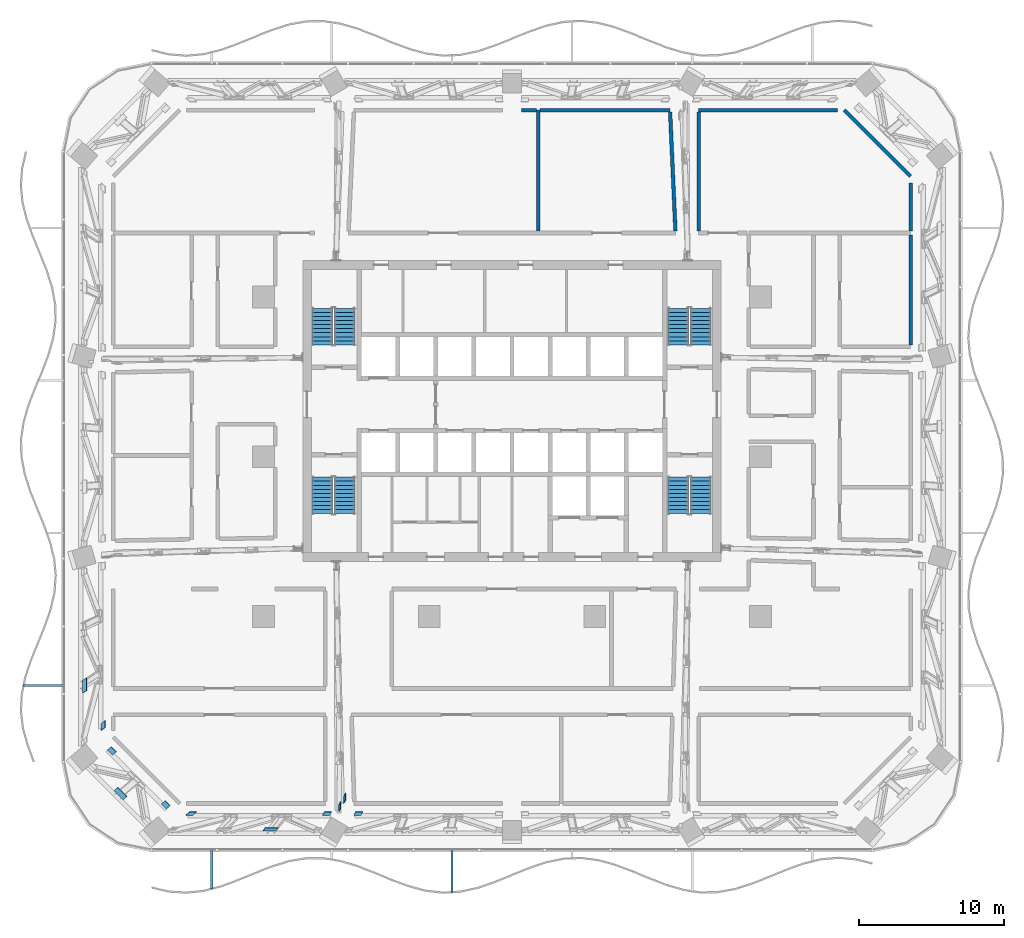
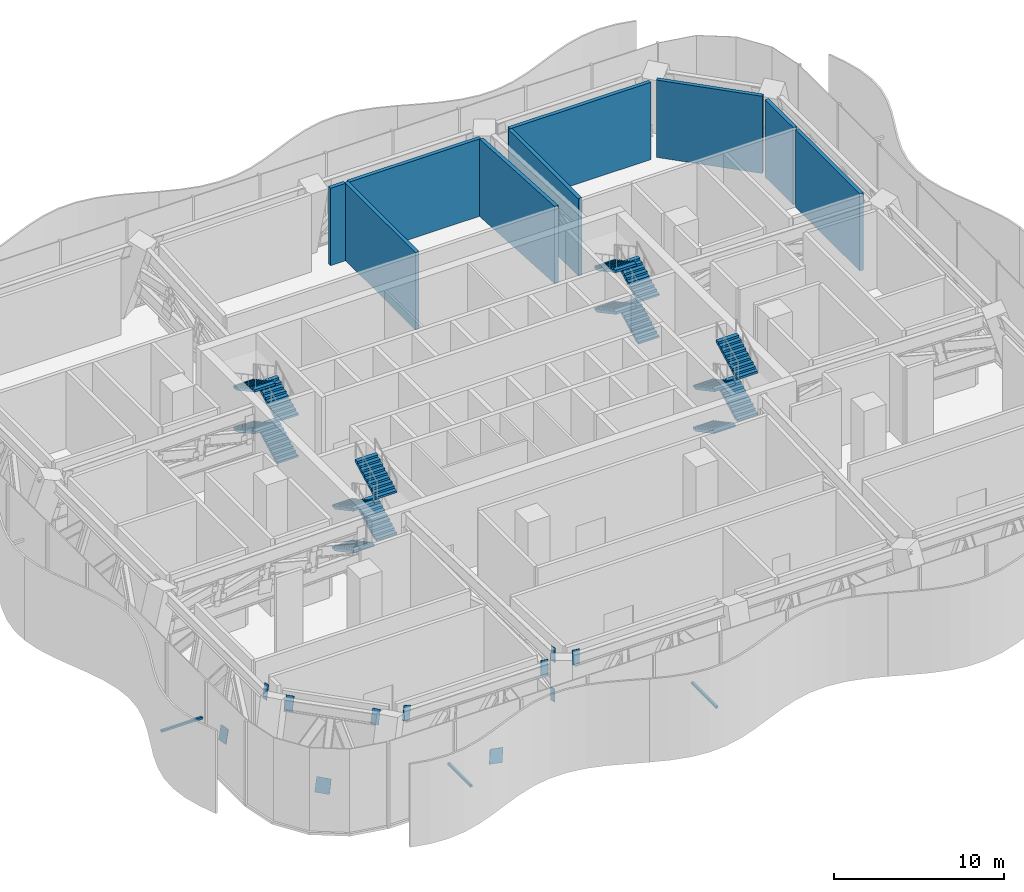
# One storey, part 14 of 32: 16 stair flights, 14 discrete accessories, 9 walls, 4 elements without a shape of their own.
"""IFC4 building model written with IfcOpenShell, lengths in metres."""

from ifc_helpers import new_model, si_unit, direction, frame, frame_2d, origin, origin_2d, place, context, subcontext, project, spatial, polyline, rectangle, outline, extrude, material, layer, layer_set, type_object, element, aggregate, save


model = new_model("IFC4")

# Units and contexts
model_context = context("Model", 3, precision=1e-05, world=origin(), true_north=direction((0.0, 1.0)))
body_context = subcontext(model_context, "Body", "Model", "MODEL_VIEW")
ifc_project = project(units=[si_unit("LENGTHUNIT", "METRE"), si_unit("AREAUNIT", "SQUARE_METRE"), si_unit("VOLUMEUNIT", "CUBIC_METRE"), si_unit("PLANEANGLEUNIT", "RADIAN"), si_unit("MASSUNIT", "GRAM", prefix="KILO")], contexts=[model_context])

# Site, building, storey
site_placement = place(None, origin())
site = spatial("IfcSite", under=ifc_project, at=site_placement, CompositionType="ELEMENT")
building_placement = place(site_placement, origin())
building = spatial("IfcBuilding", under=site, at=building_placement, Name="Mopane Tessera Tower", CompositionType="ELEMENT")
storey_placement = place(building_placement, frame((0.0, 0.0, 88.60009765625)))
storey = spatial("IfcBuildingStorey", under=building, at=storey_placement, Name="L17", CompositionType="ELEMENT", Elevation=88.60009765625)

# Walls
ifc_material_1 = material(Name="Plastered concrete blockwork C20/25", Category="masonry")
ifc_layer_1 = layer(ifc_material_1, 0.25)
ifc_layer_set_1 = layer_set([ifc_layer_1], Name="Plastered concrete blockwork C20/25")
wall_type = type_object("IfcWallType", Name="Plastered blockwork wall 250, rated EI 120", PredefinedType="PARTITIONING", material=ifc_layer_set_1)
wall_1_placement = place(storey_placement, frame((0.64990234375, 23.860107421875, 0.0), z_axis=(0.0, 0.0, 1.0), x_axis=(1.0, 0.0, 0.0)))
element("IfcWall", 1, at=wall_1_placement, inside=storey, type_object=wall_type, Name="Partition L17:031", PredefinedType="PARTITIONING", context=body_context, shape_type="SweptSolid", body=[
    extrude(rectangle(XDim=1.02001953125, YDim=0.25, at=frame_2d((0.510009765625, 0.0))), origin(), (0.0, 0.0, 1.0), 5.5498046875),
])
wall_2_placement = place(storey_placement, frame((1.919921875, 23.860107421875, 0.0), z_axis=(0.0, 0.0, 1.0), x_axis=(1.0, 0.0, 0.0)))
element("IfcWall", 2, at=wall_2_placement, inside=storey, type_object=wall_type, Name="Partition L17:032", PredefinedType="PARTITIONING", context=body_context, shape_type="SweptSolid", body=[
    extrude(rectangle(XDim=8.955078125, YDim=0.25, at=frame_2d((4.4775390625, 0.0))), origin(), (0.0, 0.0, 1.0), 5.5498046875),
])
wall_3_placement = place(storey_placement, frame((12.844970703125, 23.860107421875, 0.0), z_axis=(0.0, 0.0, 1.0), x_axis=(1.0, 0.0, 0.0)))
element("IfcWall", 3, at=wall_3_placement, inside=storey, type_object=wall_type, Name="Partition L17:033", PredefinedType="PARTITIONING", context=body_context, shape_type="SweptSolid", body=[
    extrude(rectangle(XDim=9.554931640625, YDim=0.25, at=frame_2d((4.77734375, 0.0))), origin(), (0.0, 0.0, 1.0), 5.5498046875),
])
wall_4_placement = place(storey_placement, frame((1.794921875, 15.52490234375, 0.0), z_axis=(0.0, 0.0, 1.0), x_axis=(0.0, 1.0, 0.0)))
element("IfcWall", 4, at=wall_4_placement, inside=storey, type_object=wall_type, Name="Partition L17:051", PredefinedType="PARTITIONING", context=body_context, shape_type="SweptSolid", body=[
    extrude(rectangle(XDim=8.335205078125, YDim=0.25, at=frame_2d((4.16748046875, 0.0))), origin(), (0.0, 0.0, 1.0), 5.5498046875),
])
wall_5_placement = place(storey_placement, frame((12.844970703125, 15.52490234375, 0.0), z_axis=(0.0, 0.0, 1.0), x_axis=(0.0, 1.0, 0.0)))
element("IfcWall", 5, at=wall_5_placement, inside=storey, type_object=wall_type, Name="Partition L17:055", PredefinedType="PARTITIONING", context=body_context, shape_type="SweptSolid", body=[
    extrude(rectangle(XDim=8.210205078125, YDim=0.25, at=frame_2d((4.10498046875, 0.0))), origin(), (0.0, 0.0, 1.0), 5.5498046875),
])
wall_6_placement = place(storey_placement, frame((27.429931640625, 7.699951171875, 0.0), z_axis=(0.0, 0.0, 1.0), x_axis=(0.0, 1.0, 0.0)))
element("IfcWall", 6, at=wall_6_placement, inside=storey, type_object=wall_type, Name="Partition L17:071", PredefinedType="PARTITIONING", context=body_context, shape_type="SweptSolid", body=[
    extrude(rectangle(XDim=7.574951171875, YDim=0.25, at=frame_2d((3.78759765625, 0.0))), origin(), (0.0, 0.0, 1.0), 5.5498046875),
])
wall_7_placement = place(storey_placement, frame((27.429931640625, 15.52490234375, 0.0), z_axis=(0.0, 0.0, 1.0), x_axis=(0.0, 1.0, 0.0)))
element("IfcWall", 7, at=wall_7_placement, inside=storey, type_object=wall_type, Name="Partition L17:072", PredefinedType="PARTITIONING", context=body_context, shape_type="SweptSolid", body=[
    extrude(rectangle(XDim=3.3251953125, YDim=0.25, at=frame_2d((1.66259765625, 0.0))), origin(), (0.0, 0.0, 1.0), 5.5498046875),
])
wall_8_placement = place(storey_placement, frame((10.881103515625, 23.72998046875, 0.0), z_axis=(0.0, 0.0, 1.0), x_axis=(0.044823454024, -0.998994923896, 0.0)))
element("IfcWall", 8, at=wall_8_placement, inside=storey, type_object=wall_type, Name="Partition L17:087", PredefinedType="PARTITIONING", context=body_context, shape_type="SweptSolid", body=[
    extrude(rectangle(XDim=8.208251953125, YDim=0.25, at=frame_2d((4.10400390625, 0.0))), origin(), (0.0, 0.0, 1.0), 5.5498046875),
])
wall_9_placement = place(storey_placement, frame((22.8701171875, 23.860107421875, 0.0), z_axis=(0.0, 0.0, 1.0), x_axis=(0.707087851559, -0.707125710308, 0.0)))
element("IfcWall", 9, at=wall_9_placement, inside=storey, type_object=wall_type, Name="Partition L17:088", PredefinedType="PARTITIONING", context=body_context, shape_type="SweptSolid", body=[
    extrude(rectangle(XDim=6.44873046875, YDim=0.25, at=frame_2d((3.224365234375, 0.0))), origin(), (0.0, 0.0, 1.0), 5.5498046875),
])

# Stair, stair flights
ifc_material_2 = material(Name="Concrete C50/60", Category="concrete")
stair_type = type_object("IfcStairType", Name="Escape stair 1400 mm, riser 150 mm", PredefinedType="HALF_TURN_STAIR", material=ifc_material_2)
stair_1_placement = place(storey_placement, origin())
stair_1 = element("IfcStair", 10, at=stair_1_placement, inside=storey, type_object=stair_type, Name="L17 Escape stair south-west", PredefinedType="HALF_TURN_STAIR")
ifc_material_3 = material(Name="Concrete C50/60", Category="concrete")
stair_flight_type = type_object("IfcStairFlightType", Name="Escape stair flight 1400 mm", PredefinedType="STRAIGHT", material=ifc_material_3)
stair_flight_1_placement = place(storey_placement, frame((-13.050048828125, -1.39990234375, 0.0), z_axis=(0.0, 0.0, 1.0), x_axis=(0.0, -1.0, 0.0)))
stair_flight_1 = element("IfcStairFlight", 11, at=stair_flight_1_placement, type_object=stair_flight_type, Name="ST1 flight 1", NumberOfRisers=10, NumberOfTreads=9, PredefinedType="STRAIGHT", RiserHeight=0.15, TreadLength=0.28, context=body_context, shape_type="SweptSolid", body=[
    extrude(outline(polyline([(0.0, 0.0), (0.0, 0.14990234375), (0.280029296875, 0.14990234375), (0.280029296875, 0.300048828125), (0.56005859375, 0.300048828125), (0.56005859375, 0.449951171875), (0.840087890625, 0.449951171875), (0.840087890625, 0.60009765625), (1.1201171875, 0.60009765625), (1.1201171875, 0.75), (1.39990234375, 0.75), (1.39990234375, 0.89990234375), (1.679931640625, 0.89990234375), (1.679931640625, 1.050048828125), (1.9599609375, 1.050048828125), (1.9599609375, 1.199951171875), (2.239990234375, 1.199951171875), (2.239990234375, 1.35009765625), (2.52001953125, 1.35009765625), (2.52001953125, 1.5), (2.52001953125, 1.179931640625), (0.3173828125, 0.0), (0.0, 0.0)])), frame((0.0, 0.699951171875, 0.0), z_axis=(0.0, -1.0, 0.0), x_axis=(1.0, 0.0, 0.0)), (0.0, 0.0, 1.0), 1.39990234375),
])
stair_flight_2_placement = place(storey_placement, frame((-11.5, -3.919921875, 1.5), z_axis=(0.0, 0.0, 1.0), x_axis=(0.0, 1.0, 0.0)))
stair_flight_2 = element("IfcStairFlight", 12, at=stair_flight_2_placement, type_object=stair_flight_type, Name="ST1 flight 2", NumberOfRisers=10, NumberOfTreads=9, PredefinedType="STRAIGHT", RiserHeight=0.15, TreadLength=0.28, context=body_context, shape_type="SweptSolid", body=[
    extrude(outline(polyline([(0.0, 0.0), (0.0, 0.14990234375), (0.280029296875, 0.14990234375), (0.280029296875, 0.300048828125), (0.56005859375, 0.300048828125), (0.56005859375, 0.449951171875), (0.840087890625, 0.449951171875), (0.840087890625, 0.60009765625), (1.1201171875, 0.60009765625), (1.1201171875, 0.75), (1.39990234375, 0.75), (1.39990234375, 0.89990234375), (1.679931640625, 0.89990234375), (1.679931640625, 1.050048828125), (1.9599609375, 1.050048828125), (1.9599609375, 1.199951171875), (2.239990234375, 1.199951171875), (2.239990234375, 1.35009765625), (2.52001953125, 1.35009765625), (2.52001953125, 1.5), (2.52001953125, 1.179931640625), (0.3173828125, 0.0), (0.0, 0.0)])), frame((0.0, 0.699951171875, 0.0), z_axis=(0.0, -1.0, 0.0), x_axis=(1.0, 0.0, 0.0)), (0.0, 0.0, 1.0), 1.39990234375),
])
stair_flight_3_placement = place(storey_placement, frame((-13.050048828125, -1.39990234375, 3.0), z_axis=(0.0, 0.0, 1.0), x_axis=(0.0, -1.0, 0.0)))
stair_flight_3 = element("IfcStairFlight", 13, at=stair_flight_3_placement, type_object=stair_flight_type, Name="ST1 flight 3", NumberOfRisers=10, NumberOfTreads=9, PredefinedType="STRAIGHT", RiserHeight=0.15, TreadLength=0.28, context=body_context, shape_type="SweptSolid", body=[
    extrude(outline(polyline([(0.0, 0.0), (0.0, 0.14990234375), (0.280029296875, 0.14990234375), (0.280029296875, 0.300048828125), (0.56005859375, 0.300048828125), (0.56005859375, 0.449951171875), (0.840087890625, 0.449951171875), (0.840087890625, 0.60009765625), (1.1201171875, 0.60009765625), (1.1201171875, 0.75), (1.39990234375, 0.75), (1.39990234375, 0.89990234375), (1.679931640625, 0.89990234375), (1.679931640625, 1.050048828125), (1.9599609375, 1.050048828125), (1.9599609375, 1.199951171875), (2.239990234375, 1.199951171875), (2.239990234375, 1.35009765625), (2.52001953125, 1.35009765625), (2.52001953125, 1.5), (2.52001953125, 1.179931640625), (0.3173828125, 0.0), (0.0, 0.0)])), frame((0.0, 0.699951171875, 0.0), z_axis=(0.0, -1.0, 0.0), x_axis=(1.0, 0.0, 0.0)), (0.0, 0.0, 1.0), 1.39990234375),
])
stair_flight_4_placement = place(storey_placement, frame((-11.5, -3.919921875, 4.5), z_axis=(0.0, 0.0, 1.0), x_axis=(0.0, 1.0, 0.0)))
stair_flight_4 = element("IfcStairFlight", 14, at=stair_flight_4_placement, type_object=stair_flight_type, Name="ST1 flight 4", NumberOfRisers=10, NumberOfTreads=9, PredefinedType="STRAIGHT", RiserHeight=0.15, TreadLength=0.28, context=body_context, shape_type="SweptSolid", body=[
    extrude(outline(polyline([(0.0, 0.0), (0.0, 0.14990234375), (0.280029296875, 0.14990234375), (0.280029296875, 0.300048828125), (0.56005859375, 0.300048828125), (0.56005859375, 0.449951171875), (0.840087890625, 0.449951171875), (0.840087890625, 0.60009765625), (1.1201171875, 0.60009765625), (1.1201171875, 0.75), (1.39990234375, 0.75), (1.39990234375, 0.89990234375), (1.679931640625, 0.89990234375), (1.679931640625, 1.050048828125), (1.9599609375, 1.050048828125), (1.9599609375, 1.199951171875), (2.239990234375, 1.199951171875), (2.239990234375, 1.35009765625), (2.52001953125, 1.35009765625), (2.52001953125, 1.5), (2.52001953125, 1.179931640625), (0.3173828125, 0.0), (0.0, 0.0)])), frame((0.0, 0.699951171875, 0.0), z_axis=(0.0, -1.0, 0.0), x_axis=(1.0, 0.0, 0.0)), (0.0, 0.0, 1.0), 1.39990234375),
])
aggregate(stair_1, [stair_flight_1, stair_flight_2, stair_flight_3, stair_flight_4])

stair_2_placement = place(storey_placement, origin())
stair_2 = element("IfcStair", 15, at=stair_2_placement, inside=storey, type_object=stair_type, Name="L17 Escape stair north-west", PredefinedType="HALF_TURN_STAIR")
stair_flight_5_placement = place(storey_placement, frame((-11.5, 7.699951171875, 0.0), z_axis=(0.0, 0.0, 1.0), x_axis=(0.0, 1.0, 0.0)))
stair_flight_5 = element("IfcStairFlight", 16, at=stair_flight_5_placement, type_object=stair_flight_type, Name="ST2 flight 1", NumberOfRisers=10, NumberOfTreads=9, PredefinedType="STRAIGHT", RiserHeight=0.15, TreadLength=0.28, context=body_context, shape_type="SweptSolid", body=[
    extrude(outline(polyline([(0.0, 0.0), (0.0, 0.14990234375), (0.280029296875, 0.14990234375), (0.280029296875, 0.300048828125), (0.56005859375, 0.300048828125), (0.56005859375, 0.449951171875), (0.840087890625, 0.449951171875), (0.840087890625, 0.60009765625), (1.1201171875, 0.60009765625), (1.1201171875, 0.75), (1.39990234375, 0.75), (1.39990234375, 0.89990234375), (1.679931640625, 0.89990234375), (1.679931640625, 1.050048828125), (1.9599609375, 1.050048828125), (1.9599609375, 1.199951171875), (2.239990234375, 1.199951171875), (2.239990234375, 1.35009765625), (2.52001953125, 1.35009765625), (2.52001953125, 1.5), (2.52001953125, 1.179931640625), (0.3173828125, 0.0), (0.0, 0.0)])), frame((0.0, 0.699951171875, 0.0), z_axis=(0.0, -1.0, 0.0), x_axis=(1.0, 0.0, 0.0)), (0.0, 0.0, 1.0), 1.39990234375),
])
stair_flight_6_placement = place(storey_placement, frame((-13.050048828125, 10.219970703125, 1.5), z_axis=(0.0, 0.0, 1.0), x_axis=(0.0, -1.0, 0.0)))
stair_flight_6 = element("IfcStairFlight", 17, at=stair_flight_6_placement, type_object=stair_flight_type, Name="ST2 flight 2", NumberOfRisers=10, NumberOfTreads=9, PredefinedType="STRAIGHT", RiserHeight=0.15, TreadLength=0.28, context=body_context, shape_type="SweptSolid", body=[
    extrude(outline(polyline([(0.0, 0.0), (0.0, 0.14990234375), (0.280029296875, 0.14990234375), (0.280029296875, 0.300048828125), (0.56005859375, 0.300048828125), (0.56005859375, 0.449951171875), (0.840087890625, 0.449951171875), (0.840087890625, 0.60009765625), (1.1201171875, 0.60009765625), (1.1201171875, 0.75), (1.39990234375, 0.75), (1.39990234375, 0.89990234375), (1.679931640625, 0.89990234375), (1.679931640625, 1.050048828125), (1.9599609375, 1.050048828125), (1.9599609375, 1.199951171875), (2.239990234375, 1.199951171875), (2.239990234375, 1.35009765625), (2.52001953125, 1.35009765625), (2.52001953125, 1.5), (2.52001953125, 1.179931640625), (0.3173828125, 0.0), (0.0, 0.0)])), frame((0.0, 0.699951171875, 0.0), z_axis=(0.0, -1.0, 0.0), x_axis=(1.0, 0.0, 0.0)), (0.0, 0.0, 1.0), 1.39990234375),
])
stair_flight_7_placement = place(storey_placement, frame((-11.5, 7.699951171875, 3.0), z_axis=(0.0, 0.0, 1.0), x_axis=(0.0, 1.0, 0.0)))
stair_flight_7 = element("IfcStairFlight", 18, at=stair_flight_7_placement, type_object=stair_flight_type, Name="ST2 flight 3", NumberOfRisers=10, NumberOfTreads=9, PredefinedType="STRAIGHT", RiserHeight=0.15, TreadLength=0.28, context=body_context, shape_type="SweptSolid", body=[
    extrude(outline(polyline([(0.0, 0.0), (0.0, 0.14990234375), (0.280029296875, 0.14990234375), (0.280029296875, 0.300048828125), (0.56005859375, 0.300048828125), (0.56005859375, 0.449951171875), (0.840087890625, 0.449951171875), (0.840087890625, 0.60009765625), (1.1201171875, 0.60009765625), (1.1201171875, 0.75), (1.39990234375, 0.75), (1.39990234375, 0.89990234375), (1.679931640625, 0.89990234375), (1.679931640625, 1.050048828125), (1.9599609375, 1.050048828125), (1.9599609375, 1.199951171875), (2.239990234375, 1.199951171875), (2.239990234375, 1.35009765625), (2.52001953125, 1.35009765625), (2.52001953125, 1.5), (2.52001953125, 1.179931640625), (0.3173828125, 0.0), (0.0, 0.0)])), frame((0.0, 0.699951171875, 0.0), z_axis=(0.0, -1.0, 0.0), x_axis=(1.0, 0.0, 0.0)), (0.0, 0.0, 1.0), 1.39990234375),
])
stair_flight_8_placement = place(storey_placement, frame((-13.050048828125, 10.219970703125, 4.5), z_axis=(0.0, 0.0, 1.0), x_axis=(0.0, -1.0, 0.0)))
stair_flight_8 = element("IfcStairFlight", 19, at=stair_flight_8_placement, type_object=stair_flight_type, Name="ST2 flight 4", NumberOfRisers=10, NumberOfTreads=9, PredefinedType="STRAIGHT", RiserHeight=0.15, TreadLength=0.28, context=body_context, shape_type="SweptSolid", body=[
    extrude(outline(polyline([(0.0, 0.0), (0.0, 0.14990234375), (0.280029296875, 0.14990234375), (0.280029296875, 0.300048828125), (0.56005859375, 0.300048828125), (0.56005859375, 0.449951171875), (0.840087890625, 0.449951171875), (0.840087890625, 0.60009765625), (1.1201171875, 0.60009765625), (1.1201171875, 0.75), (1.39990234375, 0.75), (1.39990234375, 0.89990234375), (1.679931640625, 0.89990234375), (1.679931640625, 1.050048828125), (1.9599609375, 1.050048828125), (1.9599609375, 1.199951171875), (2.239990234375, 1.199951171875), (2.239990234375, 1.35009765625), (2.52001953125, 1.35009765625), (2.52001953125, 1.5), (2.52001953125, 1.179931640625), (0.3173828125, 0.0), (0.0, 0.0)])), frame((0.0, 0.699951171875, 0.0), z_axis=(0.0, -1.0, 0.0), x_axis=(1.0, 0.0, 0.0)), (0.0, 0.0, 1.0), 1.39990234375),
])
aggregate(stair_2, [stair_flight_5, stair_flight_6, stair_flight_7, stair_flight_8])

stair_3_placement = place(storey_placement, origin())
stair_3 = element("IfcStair", 20, at=stair_3_placement, inside=storey, type_object=stair_type, Name="L17 Escape stair south-east", PredefinedType="HALF_TURN_STAIR")
stair_flight_9_placement = place(storey_placement, frame((11.449951171875, -1.39990234375, 0.0), z_axis=(0.0, 0.0, 1.0), x_axis=(0.0, -1.0, 0.0)))
stair_flight_9 = element("IfcStairFlight", 21, at=stair_flight_9_placement, type_object=stair_flight_type, Name="ST3 flight 1", NumberOfRisers=10, NumberOfTreads=9, PredefinedType="STRAIGHT", RiserHeight=0.15, TreadLength=0.28, context=body_context, shape_type="SweptSolid", body=[
    extrude(outline(polyline([(0.0, 0.0), (0.0, 0.14990234375), (0.280029296875, 0.14990234375), (0.280029296875, 0.300048828125), (0.56005859375, 0.300048828125), (0.56005859375, 0.449951171875), (0.840087890625, 0.449951171875), (0.840087890625, 0.60009765625), (1.1201171875, 0.60009765625), (1.1201171875, 0.75), (1.39990234375, 0.75), (1.39990234375, 0.89990234375), (1.679931640625, 0.89990234375), (1.679931640625, 1.050048828125), (1.9599609375, 1.050048828125), (1.9599609375, 1.199951171875), (2.239990234375, 1.199951171875), (2.239990234375, 1.35009765625), (2.52001953125, 1.35009765625), (2.52001953125, 1.5), (2.52001953125, 1.179931640625), (0.3173828125, 0.0), (0.0, 0.0)])), frame((0.0, 0.699951171875, 0.0), z_axis=(0.0, -1.0, 0.0), x_axis=(1.0, 0.0, 0.0)), (0.0, 0.0, 1.0), 1.39990234375),
])
stair_flight_10_placement = place(storey_placement, frame((13.0, -3.919921875, 1.5), z_axis=(0.0, 0.0, 1.0), x_axis=(0.0, 1.0, 0.0)))
stair_flight_10 = element("IfcStairFlight", 22, at=stair_flight_10_placement, type_object=stair_flight_type, Name="ST3 flight 2", NumberOfRisers=10, NumberOfTreads=9, PredefinedType="STRAIGHT", RiserHeight=0.15, TreadLength=0.28, context=body_context, shape_type="SweptSolid", body=[
    extrude(outline(polyline([(0.0, 0.0), (0.0, 0.14990234375), (0.280029296875, 0.14990234375), (0.280029296875, 0.300048828125), (0.56005859375, 0.300048828125), (0.56005859375, 0.449951171875), (0.840087890625, 0.449951171875), (0.840087890625, 0.60009765625), (1.1201171875, 0.60009765625), (1.1201171875, 0.75), (1.39990234375, 0.75), (1.39990234375, 0.89990234375), (1.679931640625, 0.89990234375), (1.679931640625, 1.050048828125), (1.9599609375, 1.050048828125), (1.9599609375, 1.199951171875), (2.239990234375, 1.199951171875), (2.239990234375, 1.35009765625), (2.52001953125, 1.35009765625), (2.52001953125, 1.5), (2.52001953125, 1.179931640625), (0.3173828125, 0.0), (0.0, 0.0)])), frame((0.0, 0.699951171875, 0.0), z_axis=(0.0, -1.0, 0.0), x_axis=(1.0, 0.0, 0.0)), (0.0, 0.0, 1.0), 1.39990234375),
])
stair_flight_11_placement = place(storey_placement, frame((11.449951171875, -1.39990234375, 3.0), z_axis=(0.0, 0.0, 1.0), x_axis=(0.0, -1.0, 0.0)))
stair_flight_11 = element("IfcStairFlight", 23, at=stair_flight_11_placement, type_object=stair_flight_type, Name="ST3 flight 3", NumberOfRisers=10, NumberOfTreads=9, PredefinedType="STRAIGHT", RiserHeight=0.15, TreadLength=0.28, context=body_context, shape_type="SweptSolid", body=[
    extrude(outline(polyline([(0.0, 0.0), (0.0, 0.14990234375), (0.280029296875, 0.14990234375), (0.280029296875, 0.300048828125), (0.56005859375, 0.300048828125), (0.56005859375, 0.449951171875), (0.840087890625, 0.449951171875), (0.840087890625, 0.60009765625), (1.1201171875, 0.60009765625), (1.1201171875, 0.75), (1.39990234375, 0.75), (1.39990234375, 0.89990234375), (1.679931640625, 0.89990234375), (1.679931640625, 1.050048828125), (1.9599609375, 1.050048828125), (1.9599609375, 1.199951171875), (2.239990234375, 1.199951171875), (2.239990234375, 1.35009765625), (2.52001953125, 1.35009765625), (2.52001953125, 1.5), (2.52001953125, 1.179931640625), (0.3173828125, 0.0), (0.0, 0.0)])), frame((0.0, 0.699951171875, 0.0), z_axis=(0.0, -1.0, 0.0), x_axis=(1.0, 0.0, 0.0)), (0.0, 0.0, 1.0), 1.39990234375),
])
stair_flight_12_placement = place(storey_placement, frame((13.0, -3.919921875, 4.5), z_axis=(0.0, 0.0, 1.0), x_axis=(0.0, 1.0, 0.0)))
stair_flight_12 = element("IfcStairFlight", 24, at=stair_flight_12_placement, type_object=stair_flight_type, Name="ST3 flight 4", NumberOfRisers=10, NumberOfTreads=9, PredefinedType="STRAIGHT", RiserHeight=0.15, TreadLength=0.28, context=body_context, shape_type="SweptSolid", body=[
    extrude(outline(polyline([(0.0, 0.0), (0.0, 0.14990234375), (0.280029296875, 0.14990234375), (0.280029296875, 0.300048828125), (0.56005859375, 0.300048828125), (0.56005859375, 0.449951171875), (0.840087890625, 0.449951171875), (0.840087890625, 0.60009765625), (1.1201171875, 0.60009765625), (1.1201171875, 0.75), (1.39990234375, 0.75), (1.39990234375, 0.89990234375), (1.679931640625, 0.89990234375), (1.679931640625, 1.050048828125), (1.9599609375, 1.050048828125), (1.9599609375, 1.199951171875), (2.239990234375, 1.199951171875), (2.239990234375, 1.35009765625), (2.52001953125, 1.35009765625), (2.52001953125, 1.5), (2.52001953125, 1.179931640625), (0.3173828125, 0.0), (0.0, 0.0)])), frame((0.0, 0.699951171875, 0.0), z_axis=(0.0, -1.0, 0.0), x_axis=(1.0, 0.0, 0.0)), (0.0, 0.0, 1.0), 1.39990234375),
])
aggregate(stair_3, [stair_flight_9, stair_flight_10, stair_flight_11, stair_flight_12])

stair_4_placement = place(storey_placement, origin())
stair_4 = element("IfcStair", 25, at=stair_4_placement, inside=storey, type_object=stair_type, Name="L17 Escape stair north-east", PredefinedType="HALF_TURN_STAIR")
stair_flight_13_placement = place(storey_placement, frame((13.0, 7.699951171875, 0.0), z_axis=(0.0, 0.0, 1.0), x_axis=(0.0, 1.0, 0.0)))
stair_flight_13 = element("IfcStairFlight", 26, at=stair_flight_13_placement, type_object=stair_flight_type, Name="ST4 flight 1", NumberOfRisers=10, NumberOfTreads=9, PredefinedType="STRAIGHT", RiserHeight=0.15, TreadLength=0.28, context=body_context, shape_type="SweptSolid", body=[
    extrude(outline(polyline([(0.0, 0.0), (0.0, 0.14990234375), (0.280029296875, 0.14990234375), (0.280029296875, 0.300048828125), (0.56005859375, 0.300048828125), (0.56005859375, 0.449951171875), (0.840087890625, 0.449951171875), (0.840087890625, 0.60009765625), (1.1201171875, 0.60009765625), (1.1201171875, 0.75), (1.39990234375, 0.75), (1.39990234375, 0.89990234375), (1.679931640625, 0.89990234375), (1.679931640625, 1.050048828125), (1.9599609375, 1.050048828125), (1.9599609375, 1.199951171875), (2.239990234375, 1.199951171875), (2.239990234375, 1.35009765625), (2.52001953125, 1.35009765625), (2.52001953125, 1.5), (2.52001953125, 1.179931640625), (0.3173828125, 0.0), (0.0, 0.0)])), frame((0.0, 0.699951171875, 0.0), z_axis=(0.0, -1.0, 0.0), x_axis=(1.0, 0.0, 0.0)), (0.0, 0.0, 1.0), 1.39990234375),
])
stair_flight_14_placement = place(storey_placement, frame((11.449951171875, 10.219970703125, 1.5), z_axis=(0.0, 0.0, 1.0), x_axis=(0.0, -1.0, 0.0)))
stair_flight_14 = element("IfcStairFlight", 27, at=stair_flight_14_placement, type_object=stair_flight_type, Name="ST4 flight 2", NumberOfRisers=10, NumberOfTreads=9, PredefinedType="STRAIGHT", RiserHeight=0.15, TreadLength=0.28, context=body_context, shape_type="SweptSolid", body=[
    extrude(outline(polyline([(0.0, 0.0), (0.0, 0.14990234375), (0.280029296875, 0.14990234375), (0.280029296875, 0.300048828125), (0.56005859375, 0.300048828125), (0.56005859375, 0.449951171875), (0.840087890625, 0.449951171875), (0.840087890625, 0.60009765625), (1.1201171875, 0.60009765625), (1.1201171875, 0.75), (1.39990234375, 0.75), (1.39990234375, 0.89990234375), (1.679931640625, 0.89990234375), (1.679931640625, 1.050048828125), (1.9599609375, 1.050048828125), (1.9599609375, 1.199951171875), (2.239990234375, 1.199951171875), (2.239990234375, 1.35009765625), (2.52001953125, 1.35009765625), (2.52001953125, 1.5), (2.52001953125, 1.179931640625), (0.3173828125, 0.0), (0.0, 0.0)])), frame((0.0, 0.699951171875, 0.0), z_axis=(0.0, -1.0, 0.0), x_axis=(1.0, 0.0, 0.0)), (0.0, 0.0, 1.0), 1.39990234375),
])
stair_flight_15_placement = place(storey_placement, frame((13.0, 7.699951171875, 3.0), z_axis=(0.0, 0.0, 1.0), x_axis=(0.0, 1.0, 0.0)))
stair_flight_15 = element("IfcStairFlight", 28, at=stair_flight_15_placement, type_object=stair_flight_type, Name="ST4 flight 3", NumberOfRisers=10, NumberOfTreads=9, PredefinedType="STRAIGHT", RiserHeight=0.15, TreadLength=0.28, context=body_context, shape_type="SweptSolid", body=[
    extrude(outline(polyline([(0.0, 0.0), (0.0, 0.14990234375), (0.280029296875, 0.14990234375), (0.280029296875, 0.300048828125), (0.56005859375, 0.300048828125), (0.56005859375, 0.449951171875), (0.840087890625, 0.449951171875), (0.840087890625, 0.60009765625), (1.1201171875, 0.60009765625), (1.1201171875, 0.75), (1.39990234375, 0.75), (1.39990234375, 0.89990234375), (1.679931640625, 0.89990234375), (1.679931640625, 1.050048828125), (1.9599609375, 1.050048828125), (1.9599609375, 1.199951171875), (2.239990234375, 1.199951171875), (2.239990234375, 1.35009765625), (2.52001953125, 1.35009765625), (2.52001953125, 1.5), (2.52001953125, 1.179931640625), (0.3173828125, 0.0), (0.0, 0.0)])), frame((0.0, 0.699951171875, 0.0), z_axis=(0.0, -1.0, 0.0), x_axis=(1.0, 0.0, 0.0)), (0.0, 0.0, 1.0), 1.39990234375),
])
stair_flight_16_placement = place(storey_placement, frame((11.449951171875, 10.219970703125, 4.5), z_axis=(0.0, 0.0, 1.0), x_axis=(0.0, -1.0, 0.0)))
stair_flight_16 = element("IfcStairFlight", 29, at=stair_flight_16_placement, type_object=stair_flight_type, Name="ST4 flight 4", NumberOfRisers=10, NumberOfTreads=9, PredefinedType="STRAIGHT", RiserHeight=0.15, TreadLength=0.28, context=body_context, shape_type="SweptSolid", body=[
    extrude(outline(polyline([(0.0, 0.0), (0.0, 0.14990234375), (0.280029296875, 0.14990234375), (0.280029296875, 0.300048828125), (0.56005859375, 0.300048828125), (0.56005859375, 0.449951171875), (0.840087890625, 0.449951171875), (0.840087890625, 0.60009765625), (1.1201171875, 0.60009765625), (1.1201171875, 0.75), (1.39990234375, 0.75), (1.39990234375, 0.89990234375), (1.679931640625, 0.89990234375), (1.679931640625, 1.050048828125), (1.9599609375, 1.050048828125), (1.9599609375, 1.199951171875), (2.239990234375, 1.199951171875), (2.239990234375, 1.35009765625), (2.52001953125, 1.35009765625), (2.52001953125, 1.5), (2.52001953125, 1.179931640625), (0.3173828125, 0.0), (0.0, 0.0)])), frame((0.0, 0.699951171875, 0.0), z_axis=(0.0, -1.0, 0.0), x_axis=(1.0, 0.0, 0.0)), (0.0, 0.0, 1.0), 1.39990234375),
])
aggregate(stair_4, [stair_flight_13, stair_flight_14, stair_flight_15, stair_flight_16])

# Discrete accessories
ifc_material_4 = material(Name="Stainless steel S316", Category="steel")
discrete_accessory_type_1 = type_object("IfcDiscreteAccessoryType", Name="Louvre bracket 150 x 150", PredefinedType="BRACKET", material=ifc_material_4)
discrete_accessory_1_placement = place(storey_placement, frame((-20.666748046875, -28.405029296875, 2.489990234375), z_axis=(0.0, 0.0, 1.0), x_axis=(0.0, -1.0, 0.0)))
element("IfcDiscreteAccessory", 30, at=discrete_accessory_1_placement, inside=storey, type_object=discrete_accessory_type_1, Name="e:lv:L17:S:0:br0", PredefinedType="BRACKET", context=body_context, shape_type="SweptSolid", body=[
    extrude(rectangle(XDim=2.68994140625, YDim=0.14990234375, at=origin_2d()), origin(), (0.0, 0.0, 1.0), 0.14990234375),
])
discrete_accessory_2_placement = place(storey_placement, frame((-4.13330078125, -28.523681640625, 2.489990234375), z_axis=(0.0, 0.0, 1.0), x_axis=(0.0, -1.0, 0.0)))
element("IfcDiscreteAccessory", 31, at=discrete_accessory_2_placement, inside=storey, type_object=discrete_accessory_type_1, Name="e:lv:L17:S:1:br0", PredefinedType="BRACKET", context=body_context, shape_type="SweptSolid", body=[
    extrude(rectangle(XDim=2.92724609375, YDim=0.14990234375, at=origin_2d()), origin(), (0.0, 0.0, 1.0), 0.14990234375),
])
discrete_accessory_3_placement = place(storey_placement, frame((-32.24951171875, -15.75, 2.489990234375), z_axis=(0.0, 0.0, 1.0), x_axis=(-1.0, 0.0, 0.0)))
element("IfcDiscreteAccessory", 32, at=discrete_accessory_3_placement, inside=storey, type_object=discrete_accessory_type_1, Name="e:lv:L17:W:1:br1", PredefinedType="BRACKET", context=body_context, shape_type="SweptSolid", body=[
    extrude(rectangle(XDim=2.779296875, YDim=0.14990234375, at=origin_2d()), origin(), (0.0, 0.0, 1.0), 0.14990234375),
])
ifc_material_5 = material(Name="Structural steel S460", Category="steel")
ifc_layer_2 = layer(ifc_material_5, 0.030029296875)
ifc_layer_set_2 = layer_set([ifc_layer_2], Name="Structural steel S460")
discrete_accessory_type_2 = type_object("IfcDiscreteAccessoryType", Name="Truss node plate 30 mm", PredefinedType="BRACKET", material=ifc_layer_set_2)
discrete_accessory_4_placement = place(storey_placement, frame((-11.91357421875, -24.16748046875, 2.20458984375), z_axis=(0.131075703593, 0.224363816961, 0.96565005958), x_axis=(0.991366852532, -0.026417061687, -0.128428589313)))
element("IfcDiscreteAccessory", 33, at=discrete_accessory_4_placement, inside=storey, type_object=discrete_accessory_type_2, Name="Truss node plate s ot L17 S1 19", PredefinedType="BRACKET", context=body_context, shape_type="SweptSolid", body=[
    extrude(rectangle(XDim=0.030029296875, YDim=0.489990234375, at=origin_2d()), origin(), (0.0, 0.0, 1.0), 0.826904296875),
])
discrete_accessory_5_placement = place(storey_placement, frame((-11.589111328125, -23.611572265625, 4.595947265625), z_axis=(0.130985932016, 0.224509887476, 0.965628290824), x_axis=(0.99137662939, -0.025849684007, -0.128468566332)))
element("IfcDiscreteAccessory", 34, at=discrete_accessory_5_placement, inside=storey, type_object=discrete_accessory_type_2, Name="Truss node plate s ot L17 S1 20", PredefinedType="BRACKET", context=body_context, shape_type="SweptSolid", body=[
    extrude(rectangle(XDim=0.030029296875, YDim=0.489990234375, at=origin_2d()), origin(), (0.0, 0.0, 1.0), 0.931884765625),
])
discrete_accessory_6_placement = place(storey_placement, frame((-22.19580078125, -24.66015625, 4.69287109375), z_axis=(0.258751493539, 0.23409639052, 0.937148091038), x_axis=(-0.062275867756, 0.972213391772, -0.225660889733)))
element("IfcDiscreteAccessory", 35, at=discrete_accessory_6_placement, inside=storey, type_object=discrete_accessory_type_2, Name="Truss node plate s bt L17 S0-S1 2", PredefinedType="BRACKET", context=body_context, shape_type="SweptSolid", body=[
    extrude(rectangle(XDim=0.030029296875, YDim=0.489990234375, at=origin_2d()), origin(), (0.0, 0.0, 1.0), 0.96044921875),
])
discrete_accessory_7_placement = place(storey_placement, frame((-16.70556640625, -25.742431640625, 0.364013671875), z_axis=(0.187940233226, 0.238092097388, 0.95288541908), x_axis=(-0.046035295233, 0.971242581357, -0.233599228919)))
element("IfcDiscreteAccessory", 36, at=discrete_accessory_7_placement, inside=storey, type_object=discrete_accessory_type_2, Name="Truss node plate s bt L17 S0-S1 8", PredefinedType="BRACKET", context=body_context, shape_type="SweptSolid", body=[
    extrude(rectangle(XDim=0.030029296875, YDim=0.89990234375, at=origin_2d()), origin(), (0.0, 0.0, 1.0), 0.9443359375),
])
discrete_accessory_8_placement = place(storey_placement, frame((-12.7978515625, -24.66015625, 4.69287109375), z_axis=(0.152651582269, 0.239509552419, 0.958818371085), x_axis=(-0.037595840939, 0.970894005861, -0.236540445014)))
element("IfcDiscreteAccessory", 37, at=discrete_accessory_8_placement, inside=storey, type_object=discrete_accessory_type_2, Name="Truss node plate s bt L17 S0-S1 11", PredefinedType="BRACKET", context=body_context, shape_type="SweptSolid", body=[
    extrude(rectangle(XDim=0.030029296875, YDim=0.489990234375, at=origin_2d()), origin(), (0.0, 0.0, 1.0), 0.938720703125),
])
discrete_accessory_9_placement = place(storey_placement, frame((-10.633056640625, -24.66015625, 4.69287109375), z_axis=(0.127365427573, 0.240376145072, 0.962287564473), x_axis=(-0.031229233069, 0.970679770091, -0.238339083948)))
element("IfcDiscreteAccessory", 38, at=discrete_accessory_9_placement, inside=storey, type_object=discrete_accessory_type_2, Name="Truss node plate s bt L17 S1-S2 2", PredefinedType="BRACKET", context=body_context, shape_type="SweptSolid", body=[
    extrude(rectangle(XDim=0.030029296875, YDim=0.489990234375, at=origin_2d()), origin(), (0.0, 0.0, 1.0), 0.935302734375),
])
discrete_accessory_10_placement = place(storey_placement, frame((-29.52734375, -15.820068359375, 0.364013671875), z_axis=(0.275465180678, 0.178860182431, 0.944525261375), x_axis=(0.961310891541, -0.050689082946, -0.270761863405)))
element("IfcDiscreteAccessory", 39, at=discrete_accessory_10_placement, inside=storey, type_object=discrete_accessory_type_2, Name="Truss node plate s bt L17 W2-W3 8", PredefinedType="BRACKET", context=body_context, shape_type="SweptSolid", body=[
    extrude(rectangle(XDim=0.030029296875, YDim=0.89990234375, at=origin_2d()), origin(), (0.0, 0.0, 1.0), 0.95263671875),
])
discrete_accessory_11_placement = place(storey_placement, frame((-28.2646484375, -18.5986328125, 4.69287109375), z_axis=(0.273084719134, 0.219483904495, 0.936617078556), x_axis=(0.961989961414, -0.062532969731, -0.265828782933)))
element("IfcDiscreteAccessory", 40, at=discrete_accessory_11_placement, inside=storey, type_object=discrete_accessory_type_2, Name="Truss node plate s bt L17 W2-W3 11", PredefinedType="BRACKET", context=body_context, shape_type="SweptSolid", body=[
    extrude(rectangle(XDim=0.030029296875, YDim=0.489990234375, at=origin_2d()), origin(), (0.0, 0.0, 1.0), 0.961181640625),
])
discrete_accessory_12_placement = place(storey_placement, frame((-27.66796875, -20.354736328125, 4.69287109375), z_axis=(0.272410920996, 0.233422740854, 0.933437793414), x_axis=(0.652980594752, 0.667675400185, -0.357527485469)))
element("IfcDiscreteAccessory", 41, at=discrete_accessory_12_placement, inside=storey, type_object=discrete_accessory_type_2, Name="Truss node plate s bt L17 W3-S0 2", PredefinedType="BRACKET", context=body_context, shape_type="SweptSolid", body=[
    extrude(rectangle(XDim=0.030029296875, YDim=0.489990234375, at=origin_2d()), origin(), (0.0, 0.0, 1.0), 0.96435546875),
])
discrete_accessory_13_placement = place(storey_placement, frame((-27.076171875, -23.291259765625, 0.364013671875), z_axis=(0.272240857205, 0.233494018924, 0.933469581077), x_axis=(0.652697815177, 0.66799596074, -0.357445042626)))
element("IfcDiscreteAccessory", 42, at=discrete_accessory_13_placement, inside=storey, type_object=discrete_accessory_type_2, Name="Truss node plate s bt L17 W3-S0 4", PredefinedType="BRACKET", context=body_context, shape_type="SweptSolid", body=[
    extrude(rectangle(XDim=0.030029296875, YDim=0.89990234375, at=origin_2d()), origin(), (0.0, 0.0, 1.0), 0.964111328125),
])
discrete_accessory_14_placement = place(storey_placement, frame((-23.959228515625, -24.0634765625, 4.69287109375), z_axis=(0.272176513919, 0.233438833334, 0.93350214588), x_axis=(0.652722450227, 0.668017089592, -0.357360561594)))
element("IfcDiscreteAccessory", 43, at=discrete_accessory_14_placement, inside=storey, type_object=discrete_accessory_type_2, Name="Truss node plate s bt L17 W3-S0 8", PredefinedType="BRACKET", context=body_context, shape_type="SweptSolid", body=[
    extrude(rectangle(XDim=0.030029296875, YDim=0.489990234375, at=origin_2d()), origin(), (0.0, 0.0, 1.0), 0.96435546875),
])

save(model, "model.ifc")
